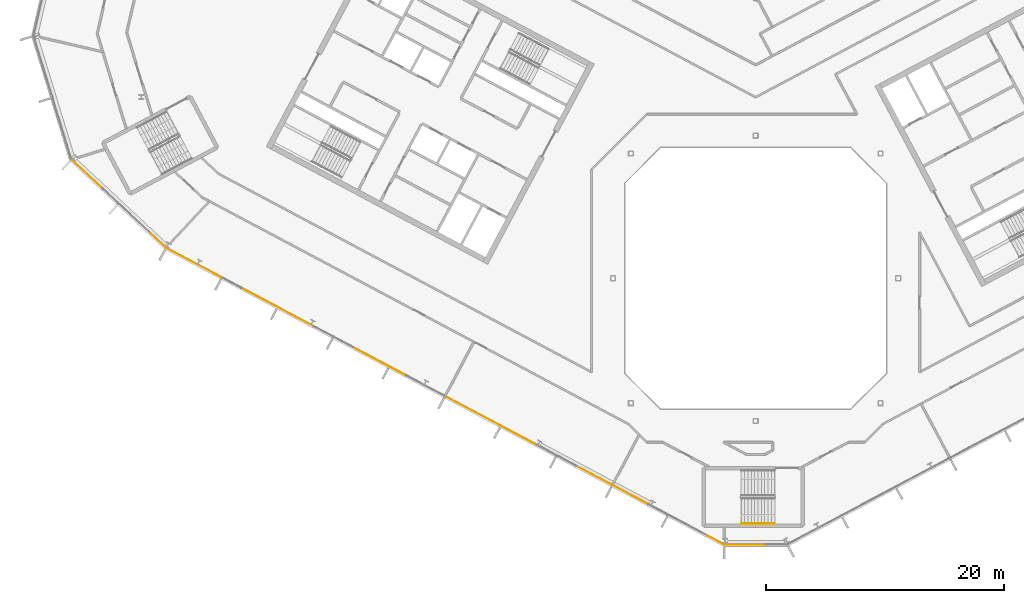
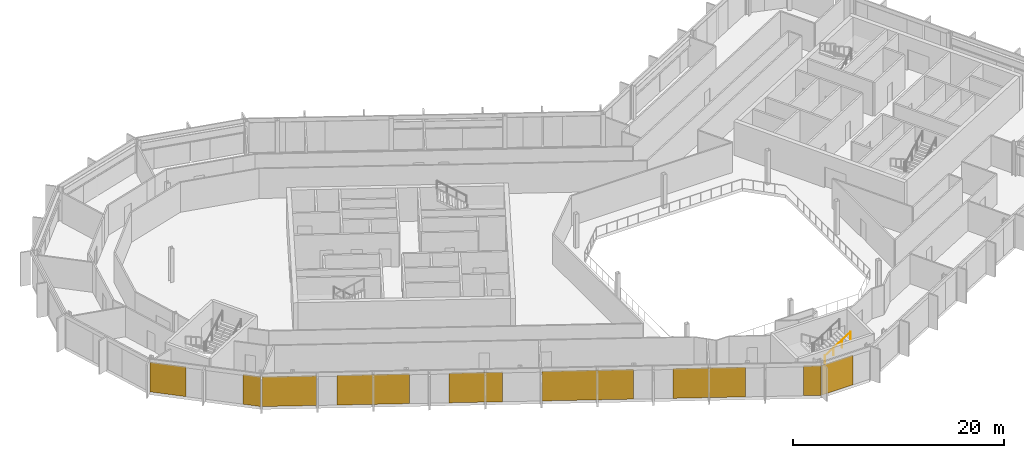
# One storey, part 19 of 26: 9 coverings, 1 railing, 3 elements without a shape of their own.
"""IFC4 building model written with IfcOpenShell, lengths in metres."""

from ifc_helpers import new_model, si_unit, direction, frame, origin, origin_2d, place, context, subcontext, project, spatial, polyline, rectangle, outline, extrude, material, layer, layer_set, type_object, element, aggregate, save


model = new_model("IFC4")

# Units and contexts
model_context = context("Model", 3, precision=1e-05, world=origin(), true_north=direction((0.0, 1.0)))
body_context = subcontext(model_context, "Body", "Model", "MODEL_VIEW")
ifc_project = project(units=[si_unit("LENGTHUNIT", "METRE"), si_unit("AREAUNIT", "SQUARE_METRE"), si_unit("VOLUMEUNIT", "CUBIC_METRE"), si_unit("PLANEANGLEUNIT", "RADIAN"), si_unit("MASSUNIT", "GRAM", prefix="KILO")], contexts=[model_context])

# Site, building, storey
site_placement = place(None, origin())
site = spatial("IfcSite", under=ifc_project, at=site_placement, CompositionType="ELEMENT")
building_placement = place(site_placement, origin())
building = spatial("IfcBuilding", under=site, at=building_placement, Name="Cormorant Relay Tower", CompositionType="ELEMENT")
storey_placement = place(building_placement, frame((0.0, 0.0, 316.5)))
storey = spatial("IfcBuildingStorey", under=building, at=storey_placement, Name="L72", CompositionType="ELEMENT", Elevation=316.5)

# Curtain wall, covering
ifc_material_1 = material(Name="Aluminium 6063-T6 anodised bronze", Category="aluminium")
ifc_layer_1 = layer(ifc_material_1, 0.199951171875)
ifc_layer_set_1 = layer_set([ifc_layer_1], Name="CW1 unitised bronze curtain wall with vertical fins")
curtain_wall_type = type_object("IfcCurtainWallType", Name="CW1 unitised bronze curtain wall with vertical fins", PredefinedType="NOTDEFINED", material=ifc_layer_set_1)
curtain_wall_1_placement = place(storey_placement, origin())
curtain_wall_1 = element("IfcCurtainWall", 1, at=curtain_wall_1_placement, inside=storey, type_object=curtain_wall_type, Name="CW1 curtain wall 1", PredefinedType="NOTDEFINED")
ifc_material_2 = material(Name="Pale bronze anodised aluminium insulated panel", Category="aluminium")
ifc_layer_2 = layer(ifc_material_2, 0.0400390625)
ifc_layer_set_2 = layer_set([ifc_layer_2], Name="CW1 pale bronze insulated panel 40")
covering_type = type_object("IfcCoveringType", Name="CW1 pale bronze insulated panel 40", PredefinedType="CLADDING", material=ifc_layer_set_2)
covering_1_placement = place(storey_placement, frame((-0.862548828125, -22.3955078125, 0.0), z_axis=(0.0, 0.0, 1.0), x_axis=(1.0, 0.0, 0.0)))
covering_1 = element("IfcCovering", 2, at=covering_1_placement, type_object=covering_type, Name="CW1 panel S00", PredefinedType="CLADDING", context=body_context, shape_type="SweptSolid", body=[
    extrude(rectangle(XDim=3.422607421875, YDim=0.0400390625, at=origin_2d()), origin(), (0.0, 0.0, 1.0), 3.449951171875),
])
aggregate(curtain_wall_1, [covering_1])

# Curtain wall, coverings
curtain_wall_2_placement = place(storey_placement, origin())
curtain_wall_2 = element("IfcCurtainWall", 3, at=curtain_wall_2_placement, inside=storey, type_object=curtain_wall_type, Name="CW1 curtain wall 15", PredefinedType="NOTDEFINED")
covering_2_placement = place(storey_placement, frame((-56.22607421875, 8.74365234375, 0.0), z_axis=(0.0, 0.0, 1.0), x_axis=(0.731353701619, -0.681998360062, 0.0)))
covering_2 = element("IfcCovering", 4, at=covering_2_placement, type_object=covering_type, Name="CW1 panel S00", PredefinedType="CLADDING", context=body_context, shape_type="SweptSolid", body=[
    extrude(rectangle(XDim=3.485107421875, YDim=0.0400390625, at=origin_2d()), origin(), (0.0, 0.0, 1.0), 3.449951171875),
])
covering_3_placement = place(storey_placement, frame((-50.248779296875, 3.169921875, 0.0), z_axis=(0.0, 0.0, 1.0), x_axis=(0.731353701619, -0.681998360062, 0.0)))
covering_3 = element("IfcCovering", 5, at=covering_3_placement, type_object=covering_type, Name="CW1 panel S03", PredefinedType="CLADDING", context=body_context, shape_type="SweptSolid", body=[
    extrude(rectangle(XDim=1.76025390625, YDim=0.0400390625, at=origin_2d()), origin(), (0.0, 0.0, 1.0), 3.449951171875),
])
aggregate(curtain_wall_2, [covering_2, covering_3])

curtain_wall_3_placement = place(storey_placement, origin())
curtain_wall_3 = element("IfcCurtainWall", 6, at=curtain_wall_3_placement, inside=storey, type_object=curtain_wall_type, Name="CW1 curtain wall 16", PredefinedType="NOTDEFINED")
covering_4_placement = place(storey_placement, frame((-47.25390625, 1.318603515625, 0.0), z_axis=(0.0, 0.0, 1.0), x_axis=(0.882947592859, -0.469471562786, 0.0)))
covering_4 = element("IfcCovering", 7, at=covering_4_placement, type_object=covering_type, Name="CW1 panel S00", PredefinedType="CLADDING", context=body_context, shape_type="SweptSolid", body=[
    extrude(rectangle(XDim=5.16650390625, YDim=0.0400390625, at=origin_2d()), origin(), (0.0, 0.0, 1.0), 3.449951171875),
])
covering_5_placement = place(storey_placement, frame((-40.21240234375, -2.42529296875, 0.0), z_axis=(0.0, 0.0, 1.0), x_axis=(0.882947592859, -0.469471562786, 0.0)))
covering_5 = element("IfcCovering", 8, at=covering_5_placement, type_object=covering_type, Name="CW1 panel S02", PredefinedType="CLADDING", context=body_context, shape_type="SweptSolid", body=[
    extrude(rectangle(XDim=6.88330078125, YDim=0.0400390625, at=origin_2d()), origin(), (0.0, 0.0, 1.0), 3.449951171875),
])
covering_6_placement = place(storey_placement, frame((-31.618408203125, -6.994873046875, 0.0), z_axis=(0.0, 0.0, 1.0), x_axis=(0.882947592859, -0.469471562786, 0.0)))
covering_6 = element("IfcCovering", 9, at=covering_6_placement, type_object=covering_type, Name="CW1 panel S05", PredefinedType="CLADDING", context=body_context, shape_type="SweptSolid", body=[
    extrude(rectangle(XDim=5.083251953125, YDim=0.0400390625, at=origin_2d()), origin(), (0.0, 0.0, 1.0), 3.449951171875),
])
covering_7_placement = place(storey_placement, frame((-22.22998046875, -11.98681640625, 0.0), z_axis=(0.0, 0.0, 1.0), x_axis=(0.882947592859, -0.469471562786, 0.0)))
covering_7 = element("IfcCovering", 10, at=covering_7_placement, type_object=covering_type, Name="CW1 panel S07", PredefinedType="CLADDING", context=body_context, shape_type="SweptSolid", body=[
    extrude(rectangle(XDim=8.68310546875, YDim=0.0400390625, at=origin_2d()), origin(), (0.0, 0.0, 1.0), 3.449951171875),
])
covering_8_placement = place(storey_placement, frame((-12.046875, -17.401123046875, 0.0), z_axis=(0.0, 0.0, 1.0), x_axis=(0.882947592859, -0.469471562786, 0.0)))
covering_8 = element("IfcCovering", 11, at=covering_8_placement, type_object=covering_type, Name="CW1 panel S10", PredefinedType="CLADDING", context=body_context, shape_type="SweptSolid", body=[
    extrude(rectangle(XDim=6.88330078125, YDim=0.0400390625, at=origin_2d()), origin(), (0.0, 0.0, 1.0), 3.449951171875),
])
covering_9_placement = place(storey_placement, frame((-3.383056640625, -22.0078125, 0.0), z_axis=(0.0, 0.0, 1.0), x_axis=(0.882947592859, -0.469471562786, 0.0)))
covering_9 = element("IfcCovering", 12, at=covering_9_placement, type_object=covering_type, Name="CW1 panel S13", PredefinedType="CLADDING", context=body_context, shape_type="SweptSolid", body=[
    extrude(rectangle(XDim=1.6416015625, YDim=0.0400390625, at=origin_2d()), origin(), (0.0, 0.0, 1.0), 3.449951171875),
])
aggregate(curtain_wall_3, [covering_4, covering_5, covering_6, covering_7, covering_8, covering_9])

# Railing
ifc_material_3 = material(Name="Steel ASTM A572 Grade 50 (Fy 345 MPa)", Category="steel")
railing_type = type_object("IfcRailingType", Name="Stair handrail 900", PredefinedType="HANDRAIL", material=ifc_material_3)
railing_placement = place(storey_placement, frame((-1.199951171875, -20.625, 2.127197265625)))
element("IfcRailing", 13, at=railing_placement, inside=storey, type_object=railing_type, Name="L72 RK1 stair handrail 2", PredefinedType="HANDRAIL", context=body_context, shape_type="SweptSolid", body=[
    extrude(outline(polyline([(0.022216796875, 0.00927734375), (0.00927734375, 0.022216796875), (-0.00927734375, 0.022216796875), (-0.022216796875, 0.00927734375), (-0.022216796875, -0.00927734375), (-0.00927734375, -0.022216796875), (0.00927734375, -0.022216796875), (0.022216796875, -0.00927734375), (0.022216796875, 0.00927734375)])), frame((0.0, 0.0, 0.8759765625), z_axis=(0.844908973607, 0.0, 0.534910110503), x_axis=(0.0, 1.0, 0.0)), (0.0, 0.0, 1.0), 3.31396484375),
    extrude(outline(polyline([(0.019287109375, 0.008056640625), (0.008056640625, 0.019287109375), (-0.008056640625, 0.019287109375), (-0.019287109375, 0.008056640625), (-0.019287109375, -0.008056640625), (-0.008056640625, -0.019287109375), (0.008056640625, -0.019287109375), (0.019287109375, -0.008056640625), (0.019287109375, 0.008056640625)])), origin(), (0.0, 0.0, 1.0), 0.851806640625),
    extrude(outline(polyline([(0.019287109375, 0.008056640625), (0.008056640625, 0.019287109375), (-0.008056640625, 0.019287109375), (-0.019287109375, 0.008056640625), (-0.019287109375, -0.008056640625), (-0.008056640625, -0.019287109375), (0.008056640625, -0.019287109375), (0.019287109375, -0.008056640625), (0.019287109375, 0.008056640625)])), frame((0.933349609375, 0.0, 0.5908203125)), (0.0, 0.0, 1.0), 0.851806640625),
    extrude(outline(polyline([(0.019287109375, 0.008056640625), (0.008056640625, 0.019287109375), (-0.008056640625, 0.019287109375), (-0.019287109375, 0.008056640625), (-0.019287109375, -0.008056640625), (-0.008056640625, -0.019287109375), (0.008056640625, -0.019287109375), (0.019287109375, -0.008056640625), (0.019287109375, 0.008056640625)])), frame((1.86669921875, 0.0, 1.181884765625)), (0.0, 0.0, 1.0), 0.851806640625),
    extrude(outline(polyline([(0.019287109375, 0.008056640625), (0.008056640625, 0.019287109375), (-0.008056640625, 0.019287109375), (-0.019287109375, 0.008056640625), (-0.019287109375, -0.008056640625), (-0.008056640625, -0.019287109375), (0.008056640625, -0.019287109375), (0.019287109375, -0.008056640625), (0.019287109375, 0.008056640625)])), frame((2.800048828125, 0.0, 1.772705078125)), (0.0, 0.0, 1.0), 0.851806640625),
])

save(model, "model.ifc")
